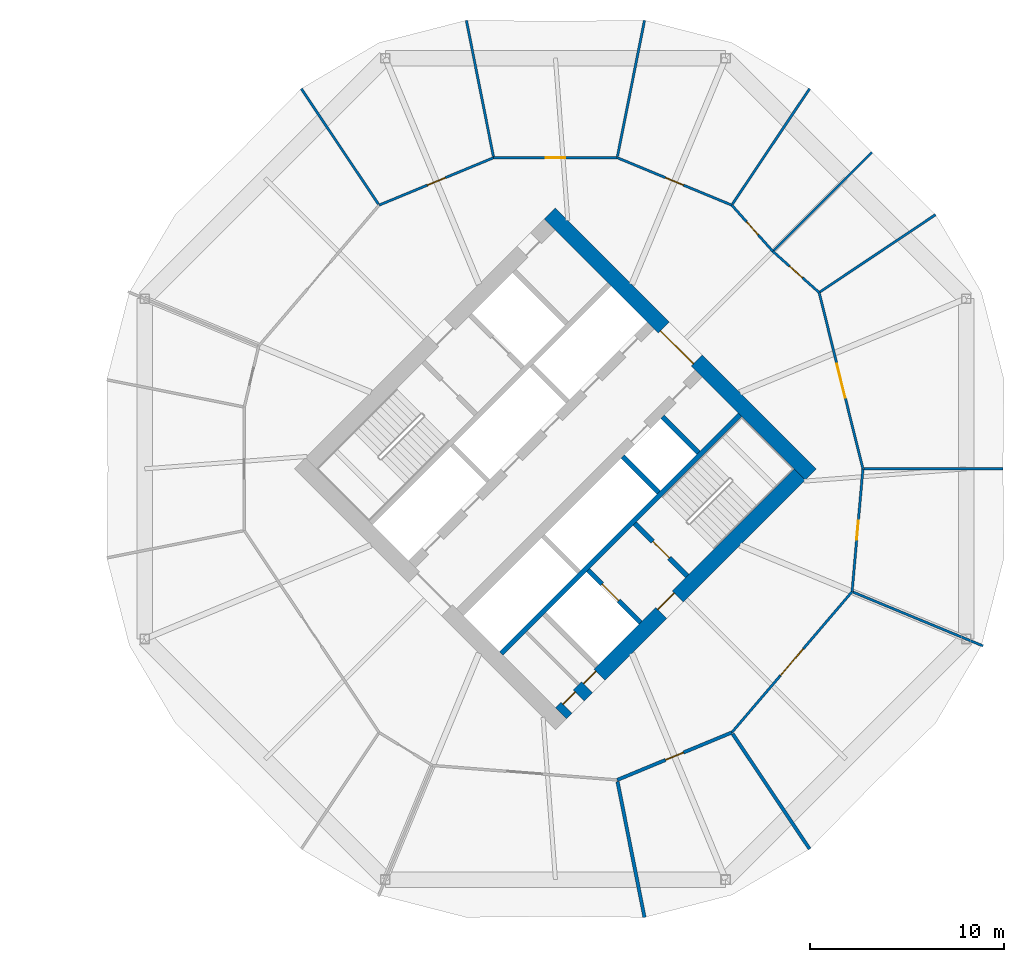
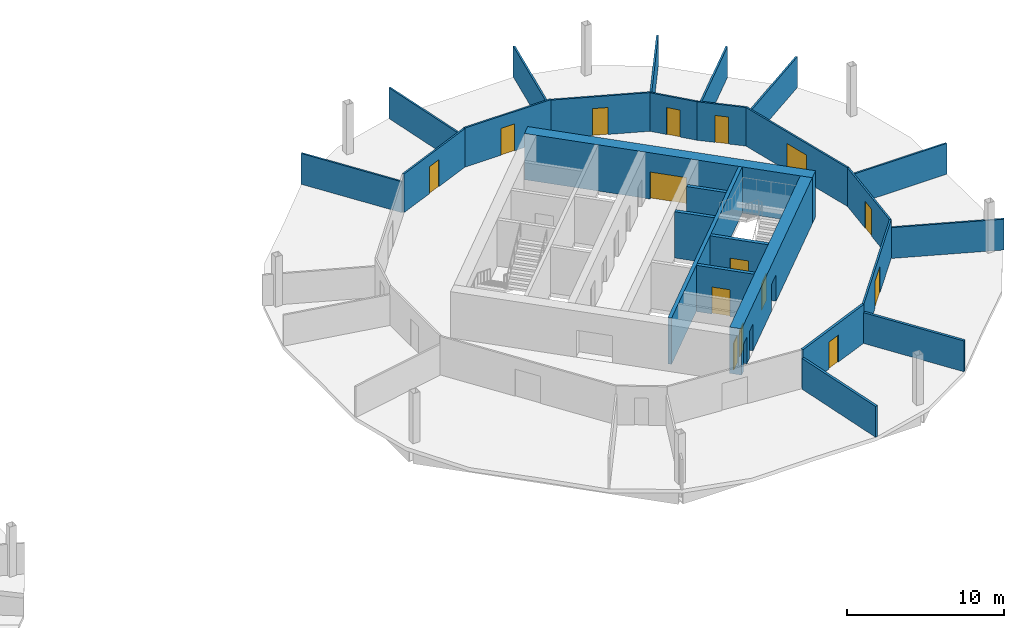
# One storey, part 8 of 10: 26 walls, 15 doors, 15 openings.
"""IFC4 building model written with IfcOpenShell, lengths in metres."""

from ifc_helpers import new_model, si_unit, direction, frame, frame_2d, origin, place, context, subcontext, project, spatial, rectangle, extrude, material, layer, layer_set, type_object, element, fill, save


model = new_model("IFC4")

# Units and contexts
model_context = context("Model", 3, precision=1e-05, world=origin(), true_north=direction((0.0, 1.0)))
body_context = subcontext(model_context, "Body", "Model", "MODEL_VIEW")
ifc_project = project(units=[si_unit("LENGTHUNIT", "METRE"), si_unit("AREAUNIT", "SQUARE_METRE"), si_unit("VOLUMEUNIT", "CUBIC_METRE"), si_unit("PLANEANGLEUNIT", "RADIAN"), si_unit("MASSUNIT", "GRAM", prefix="KILO")], contexts=[model_context])

# Site, building, storey
site_placement = place(None, origin())
site = spatial("IfcSite", under=ifc_project, at=site_placement, CompositionType="ELEMENT")
building_placement = place(site_placement, origin())
building = spatial("IfcBuilding", under=site, at=building_placement, Name="Ogive Gate Towers", CompositionType="ELEMENT")
storey_placement = place(building_placement, frame((0.0, 0.0, 59.699951171875)))
storey = spatial("IfcBuildingStorey", under=building, at=storey_placement, Name="L13", CompositionType="ELEMENT", Elevation=59.699951171875)

# Walls
ifc_material_1 = material(Name="Gypsum board acoustic partition")
ifc_layer_1 = layer(ifc_material_1, 0.175048828125)
ifc_layer_set_1 = layer_set([ifc_layer_1], Name="Acoustic partition 175")
wall_type_1 = type_object("IfcWallType", Name="Acoustic partition 175", PredefinedType="PARTITIONING", material=ifc_layer_set_1)
wall_1_placement = place(storey_placement, frame((40.5888671875, -23.1083984375, 0.0), z_axis=(0.0, 0.0, 1.0), x_axis=(-0.194786131937, 0.980845738536, 0.0)))
element("IfcWall", 1, at=wall_1_placement, inside=storey, type_object=wall_type_1, Name="Partition T2-L13-013", PredefinedType="PARTITIONING", context=body_context, shape_type="SweptSolid", body=[
    extrude(rectangle(XDim=7.1318359375, YDim=0.175048828125, at=frame_2d((3.56591796875, 0.0))), origin(), (0.0, 0.0, 1.0), 2.400146484375),
])
wall_2_placement = place(storey_placement, frame((49.095458984375, -19.584716796875, 0.0), z_axis=(0.0, 0.0, 1.0), x_axis=(-0.555860985904, 0.831275263887, 0.0)))
element("IfcWall", 2, at=wall_2_placement, inside=storey, type_object=wall_type_1, Name="Partition T2-L13-014", PredefinedType="PARTITIONING", context=body_context, shape_type="SweptSolid", body=[
    extrude(rectangle(XDim=7.131591796875, YDim=0.175048828125, at=frame_2d((3.56591796875, 0.0))), origin(), (0.0, 0.0, 1.0), 2.400146484375),
])

# Wall, opening, door
wall_3_placement = place(storey_placement, frame((39.1826171875, -16.027587890625, 0.0), z_axis=(0.0, 0.0, 1.0), x_axis=(0.923883575944, 0.382673670509, 0.0)))
wall_3 = element("IfcWall", 3, at=wall_3_placement, inside=storey, type_object=wall_type_1, Name="Partition T2-L13-021", PredefinedType="PARTITIONING", context=body_context, shape_type="SweptSolid", body=[
    extrude(rectangle(XDim=6.38623046875, YDim=0.175048828125, at=frame_2d((3.193115234375, 0.0))), origin(), (0.0, 0.0, 1.0), 3.010009765625),
])
opening_1_placement = place(wall_3_placement, frame((2.693115234375, 0.0, 0.0)))
opening_1 = element("IfcOpeningElement", 4, at=opening_1_placement, cuts=wall_3, Name="Opening T2-L13-D06", PredefinedType="OPENING", context=body_context, shape_type="SweptSolid", body=[
    extrude(rectangle(XDim=1.0, YDim=2.10009765625, at=frame_2d((0.5, 1.050048828125))), frame((0.0, 0.09765625, 0.0), z_axis=(0.0, -1.0, 0.0), x_axis=(1.0, 0.0, 0.0)), (0.0, 0.0, 1.0), 0.195068359375),
])
ifc_material_2 = material(Name="Timber door", Category="wood")
door_type_1 = type_object("IfcDoorType", Name="Door 1000", OperationType="NOTDEFINED", PredefinedType="DOOR", material=ifc_material_2)
door_1_placement = place(opening_1_placement, origin())
door_1 = element("IfcDoor", 5, at=door_1_placement, inside=storey, type_object=door_type_1, Name="Door T2-L13-D06", OperationType="SINGLE_SWING_RIGHT", OverallHeight=2.10009765625, OverallWidth=1.0, PredefinedType="DOOR", context=body_context, shape_type="SweptSolid", body=[
    extrude(rectangle(XDim=1.0, YDim=2.10009765625, at=frame_2d((0.5, 1.050048828125))), frame((0.0, 0.02490234375, 0.0), z_axis=(0.0, -1.0, 0.0), x_axis=(1.0, 0.0, 0.0)), (0.0, 0.0, 1.0), 0.050048828125),
])
fill(opening_1, door_1)

# Wall, openings, doors
ifc_material_3 = material(Name="Concrete C60/75", Category="concrete")
ifc_layer_2 = layer(ifc_material_3, 0.800048828125)
ifc_layer_set_2 = layer_set([ifc_layer_2], Name="Core wall 800 mm")
wall_type_2 = type_object("IfcWallType", Name="Core wall 800 mm", PredefinedType="SHEAR", material=ifc_layer_set_2)
wall_4_placement = place(storey_placement, frame((36.28271484375, -12.58642578125, 0.0), z_axis=(0.0, 0.0, 1.0), x_axis=(0.707106781187, 0.707106781187, 0.0)))
wall_4 = element("IfcWall", 6, at=wall_4_placement, inside=storey, type_object=wall_type_2, Name="T2 L13 Core wall 800 mm", PredefinedType="SHEAR", context=body_context, shape_type="SweptSolid", body=[
    extrude(rectangle(XDim=17.400146484375, YDim=0.800048828125, at=frame_2d((8.7001953125, 0.0))), origin(), (0.0, 0.0, 1.0), 3.60009765625),
])
opening_2_placement = place(wall_4_placement, frame((7.300048828125, 0.0, 0.0)))
opening_2 = element("IfcOpeningElement", 7, at=opening_2_placement, cuts=wall_4, Name="Opening KD-T2-L13-16", PredefinedType="OPENING", context=body_context, shape_type="SweptSolid", body=[
    extrude(rectangle(XDim=1.199951171875, YDim=2.10009765625, at=frame_2d((0.60009765625, 1.050048828125))), frame((0.0, 0.41015625, 0.0), z_axis=(0.0, -1.0, 0.0), x_axis=(1.0, 0.0, 0.0)), (0.0, 0.0, 1.0), 0.820068359375),
])
opening_3_placement = place(wall_4_placement, frame((0.39990234375, 0.0, 0.0)))
opening_3 = element("IfcOpeningElement", 8, at=opening_3_placement, cuts=wall_4, Name="Opening KD-T2-L13-18", PredefinedType="OPENING", context=body_context, shape_type="SweptSolid", body=[
    extrude(rectangle(XDim=0.89990234375, YDim=2.10009765625, at=frame_2d((0.449951171875, 1.050048828125))), frame((0.0, 0.41015625, 0.0), z_axis=(0.0, -1.0, 0.0), x_axis=(1.0, 0.0, 0.0)), (0.0, 0.0, 1.0), 0.820068359375),
])
opening_4_placement = place(wall_4_placement, frame((1.89990234375, 0.0, 0.0)))
opening_4 = element("IfcOpeningElement", 9, at=opening_4_placement, cuts=wall_4, Name="Opening KD-T2-L13-19", PredefinedType="OPENING", context=body_context, shape_type="SweptSolid", body=[
    extrude(rectangle(XDim=0.89990234375, YDim=2.10009765625, at=frame_2d((0.449951171875, 1.050048828125))), frame((0.0, 0.41015625, 0.0), z_axis=(0.0, -1.0, 0.0), x_axis=(1.0, 0.0, 0.0)), (0.0, 0.0, 1.0), 0.820068359375),
])
door_type_2 = type_object("IfcDoorType", Name="Core WC door 900 x 2100", OperationType="NOTDEFINED", PredefinedType="DOOR", material=ifc_material_2)
door_2_placement = place(opening_3_placement, origin())
door_2 = element("IfcDoor", 10, at=door_2_placement, inside=storey, type_object=door_type_2, Name="T2 L13 Core door", OperationType="SINGLE_SWING_LEFT", OverallHeight=2.10009765625, OverallWidth=0.89990234375, PredefinedType="DOOR", context=body_context, shape_type="SweptSolid", body=[
    extrude(rectangle(XDim=0.89990234375, YDim=2.10009765625, at=frame_2d((0.449951171875, 1.050048828125))), frame((0.0, 0.27490234375, 0.0), z_axis=(0.0, -1.0, 0.0), x_axis=(1.0, 0.0, 0.0)), (0.0, 0.0, 1.0), 0.050048828125),
])
fill(opening_3, door_2)
door_3_placement = place(opening_4_placement, origin())
door_3 = element("IfcDoor", 11, at=door_3_placement, inside=storey, type_object=door_type_2, Name="T2 L13 Core door", OperationType="SINGLE_SWING_RIGHT", OverallHeight=2.10009765625, OverallWidth=0.89990234375, PredefinedType="DOOR", context=body_context, shape_type="SweptSolid", body=[
    extrude(rectangle(XDim=0.89990234375, YDim=2.10009765625, at=frame_2d((0.449951171875, 1.050048828125))), frame((0.0, 0.27490234375, 0.0), z_axis=(0.0, -1.0, 0.0), x_axis=(1.0, 0.0, 0.0)), (0.0, 0.0, 1.0), 0.050048828125),
])
fill(opening_4, door_3)
ifc_material_4 = material(Name="Steel fire door", Category="steel")
door_type_3 = type_object("IfcDoorType", Name="Core door FD60S 1200 x 2100", OperationType="NOTDEFINED", PredefinedType="DOOR", material=ifc_material_4)
door_4_placement = place(opening_2_placement, origin())
door_4 = element("IfcDoor", 12, at=door_4_placement, inside=storey, type_object=door_type_3, Name="T2 L13 Fire-fighting lobby door", OperationType="SINGLE_SWING_LEFT", OverallHeight=2.10009765625, OverallWidth=1.199951171875, PredefinedType="DOOR", context=body_context, shape_type="SweptSolid", body=[
    extrude(rectangle(XDim=1.199951171875, YDim=2.10009765625, at=frame_2d((0.60009765625, 1.050048828125))), frame((0.0, 0.27490234375, 0.0), z_axis=(0.0, -1.0, 0.0), x_axis=(1.0, 0.0, 0.0)), (0.0, 0.0, 1.0), 0.050048828125),
])
fill(opening_2, door_4)

# Wall, opening, door
wall_5_placement = place(storey_placement, frame((49.152099609375, -0.28271484375, 0.0), z_axis=(0.0, 0.0, 1.0), x_axis=(-0.707106781187, 0.707106781187, 0.0)))
wall_5 = element("IfcWall", 13, at=wall_5_placement, inside=storey, type_object=wall_type_2, Name="T2 L13 Core wall 800 mm", PredefinedType="SHEAR", context=body_context, shape_type="SweptSolid", body=[
    extrude(rectangle(XDim=18.999755859375, YDim=0.800048828125, at=frame_2d((9.5, 0.0))), origin(), (0.0, 0.0, 1.0), 3.60009765625),
])
opening_5_placement = place(wall_5_placement, frame((8.300048828125, 0.0, 0.0)))
opening_5 = element("IfcOpeningElement", 14, at=opening_5_placement, cuts=wall_5, Name="Opening KD-T2-L13-02", PredefinedType="OPENING", context=body_context, shape_type="SweptSolid", body=[
    extrude(rectangle(XDim=2.39990234375, YDim=2.10009765625, at=frame_2d((1.199951171875, 1.050048828125))), frame((0.0, 0.41015625, 0.0), z_axis=(0.0, -1.0, 0.0), x_axis=(1.0, 0.0, 0.0)), (0.0, 0.0, 1.0), 0.820068359375),
])
door_type_4 = type_object("IfcDoorType", Name="Core double door FD60S 2400 x 2100", OperationType="DOUBLE_DOOR_SINGLE_SWING", PredefinedType="DOOR", material=ifc_material_4)
door_5_placement = place(opening_5_placement, origin())
door_5 = element("IfcDoor", 15, at=door_5_placement, inside=storey, type_object=door_type_4, Name="T2 L13 Core door double", OperationType="DOUBLE_DOOR_SINGLE_SWING", OverallHeight=2.10009765625, OverallWidth=2.39990234375, PredefinedType="DOOR", context=body_context, shape_type="SweptSolid", body=[
    extrude(rectangle(XDim=2.39990234375, YDim=2.10009765625, at=frame_2d((1.199951171875, 1.050048828125))), frame((0.0, 0.27490234375, 0.0), z_axis=(0.0, -1.0, 0.0), x_axis=(1.0, 0.0, 0.0)), (0.0, 0.0, 1.0), 0.050048828125),
])
fill(opening_5, door_5)

# Walls
ifc_material_5 = material(Name="Gypsum board partition")
ifc_layer_3 = layer(ifc_material_5, 0.125)
ifc_layer_set_3 = layer_set([ifc_layer_3], Name="Partition 125")
wall_type_3 = type_object("IfcWallType", Name="Partition 125", PredefinedType="PARTITIONING", material=ifc_layer_set_3)
for number, where, z_axis, x_axis, name in (
    (16, (59.05908203125, 0.0, 0.0), (0.0, 0.0, 1.0), (-1.0, 0.0, 0.0), "Partition T2-L13-001"),
    (17, (55.584716796875, 13.095458984375, 0.0), (0.0, 0.0, 1.0), (-0.831272713232, -0.55586480032, 0.0), "Partition T2-L13-002"),
):
    element("IfcWall", number, at=place(storey_placement, frame(where, z_axis=z_axis, x_axis=x_axis)), inside=storey, type_object=wall_type_3, Name=name, PredefinedType="PARTITIONING", context=body_context, shape_type="SweptSolid", body=[
        extrude(rectangle(XDim=7.156494140625, YDim=0.125, at=frame_2d((3.578125, 0.0))), origin(), (0.0, 0.0, 1.0), 2.400146484375),
    ])
wall_6_placement = place(storey_placement, frame((52.30517578125, 16.30517578125, 0.0), z_axis=(0.0, 0.0, 1.0), x_axis=(-0.707106781187, -0.707106781187, 0.0)))
element("IfcWall", 18, at=wall_6_placement, inside=storey, type_object=wall_type_3, Name="Partition T2-L13-003", PredefinedType="PARTITIONING", context=body_context, shape_type="SweptSolid", body=[
    extrude(rectangle(XDim=7.15625, YDim=0.125, at=frame_2d((3.578125, 0.0))), origin(), (0.0, 0.0, 1.0), 2.400146484375),
])
wall_7_placement = place(storey_placement, frame((49.095458984375, 19.584716796875, 0.0), z_axis=(0.0, 0.0, 1.0), x_axis=(-0.55586480032, -0.831272713232, 0.0)))
element("IfcWall", 19, at=wall_7_placement, inside=storey, type_object=wall_type_3, Name="Partition T2-L13-004", PredefinedType="PARTITIONING", context=body_context, shape_type="SweptSolid", body=[
    extrude(rectangle(XDim=7.156494140625, YDim=0.125, at=frame_2d((3.578125, 0.0))), origin(), (0.0, 0.0, 1.0), 2.400146484375),
])
for number, where, z_axis, x_axis, name in (
    (20, (40.5888671875, 23.1083984375, 0.0), (0.0, 0.0, 1.0), (-0.194790759581, -0.980844819521, 0.0), "Partition T2-L13-005"),
    (21, (31.4111328125, 23.1083984375, 0.0), (0.0, 0.0, 1.0), (0.194790759581, -0.980844819521, 0.0), "Partition T2-L13-006"),
):
    element("IfcWall", number, at=place(storey_placement, frame(where, z_axis=z_axis, x_axis=x_axis)), inside=storey, type_object=wall_type_3, Name=name, PredefinedType="PARTITIONING", context=body_context, shape_type="SweptSolid", body=[
        extrude(rectangle(XDim=7.15673828125, YDim=0.125, at=frame_2d((3.578369140625, 0.0))), origin(), (0.0, 0.0, 1.0), 2.400146484375),
    ])
wall_8_placement = place(storey_placement, frame((22.904541015625, 19.584716796875, 0.0), z_axis=(0.0, 0.0, 1.0), x_axis=(0.55586480032, -0.831272713232, 0.0)))
element("IfcWall", 22, at=wall_8_placement, inside=storey, type_object=wall_type_3, Name="Partition T2-L13-007", PredefinedType="PARTITIONING", context=body_context, shape_type="SweptSolid", body=[
    extrude(rectangle(XDim=7.156494140625, YDim=0.125, at=frame_2d((3.578125, 0.0))), origin(), (0.0, 0.0, 1.0), 2.400146484375),
])
wall_9_placement = place(storey_placement, frame((58.02783203125, -9.124267578125, 0.0), z_axis=(0.0, 0.0, 1.0), x_axis=(-0.923884069803, 0.382672478191, 0.0)))
element("IfcWall", 23, at=wall_9_placement, inside=storey, type_object=wall_type_3, Name="Partition T2-L13-015", PredefinedType="PARTITIONING", context=body_context, shape_type="SweptSolid", body=[
    extrude(rectangle(XDim=7.2392578125, YDim=0.125, at=frame_2d((3.61962890625, 0.0))), origin(), (0.0, 0.0, 1.0), 2.400146484375),
])

# Wall, opening, door
wall_10_placement = place(storey_placement, frame((45.082763671875, -13.583740234375, 0.0), z_axis=(0.0, 0.0, 1.0), x_axis=(0.649690774844, 0.760198590556, 0.0)))
wall_10 = element("IfcWall", 24, at=wall_10_placement, inside=storey, type_object=wall_type_3, Name="Partition T2-L13-022", PredefinedType="PARTITIONING", context=body_context, shape_type="SweptSolid", body=[
    extrude(rectangle(XDim=9.541748046875, YDim=0.125, at=frame_2d((4.77099609375, 0.0))), origin(), (0.0, 0.0, 1.0), 3.0),
])
opening_6_placement = place(wall_10_placement, frame((3.87109375, 0.0, 0.0)))
opening_6 = element("IfcOpeningElement", 25, at=opening_6_placement, cuts=wall_10, Name="Opening T2-L13-D07", PredefinedType="OPENING", context=body_context, shape_type="SweptSolid", body=[
    extrude(rectangle(XDim=1.800048828125, YDim=2.10009765625, at=frame_2d((0.89990234375, 1.050048828125))), frame((0.0, 0.072509765625, 0.0), z_axis=(0.0, -1.0, 0.0), x_axis=(1.0, 0.0, 0.0)), (0.0, 0.0, 1.0), 0.14501953125),
])
door_type_5 = type_object("IfcDoorType", Name="Door pair 1800", OperationType="NOTDEFINED", PredefinedType="DOOR", material=ifc_material_2)
door_6_placement = place(opening_6_placement, origin())
door_6 = element("IfcDoor", 26, at=door_6_placement, inside=storey, type_object=door_type_5, Name="Door T2-L13-D07", OperationType="DOUBLE_DOOR_DOUBLE_SWING", OverallHeight=2.10009765625, OverallWidth=1.800048828125, PredefinedType="DOOR", context=body_context, shape_type="SweptSolid", body=[
    extrude(rectangle(XDim=1.800048828125, YDim=2.10009765625, at=frame_2d((0.89990234375, 1.050048828125))), frame((0.0, 0.02490234375, 0.0), z_axis=(0.0, -1.0, 0.0), x_axis=(1.0, 0.0, 0.0)), (0.0, 0.0, 1.0), 0.050048828125),
])
fill(opening_6, door_6)

wall_11_placement = place(storey_placement, frame((51.281982421875, -6.330078125, 0.0), z_axis=(0.0, 0.0, 1.0), x_axis=(0.087826535087, 0.996135783784, 0.0)))
wall_11 = element("IfcWall", 27, at=wall_11_placement, inside=storey, type_object=wall_type_3, Name="Partition T2-L13-023", PredefinedType="PARTITIONING", context=body_context, shape_type="SweptSolid", body=[
    extrude(rectangle(XDim=6.354736328125, YDim=0.125, at=frame_2d((3.17724609375, 0.0))), origin(), (0.0, 0.0, 1.0), 3.010009765625),
])
opening_7_placement = place(wall_11_placement, frame((2.677001953125, 0.0, 0.0)))
opening_7 = element("IfcOpeningElement", 28, at=opening_7_placement, cuts=wall_11, Name="Opening T2-L13-D08", PredefinedType="OPENING", context=body_context, shape_type="SweptSolid", body=[
    extrude(rectangle(XDim=1.0, YDim=2.10009765625, at=frame_2d((0.5, 1.050048828125))), frame((0.0, 0.072509765625, 0.0), z_axis=(0.0, -1.0, 0.0), x_axis=(1.0, 0.0, 0.0)), (0.0, 0.0, 1.0), 0.14501953125),
])
door_7_placement = place(opening_7_placement, origin())
door_7 = element("IfcDoor", 29, at=door_7_placement, inside=storey, type_object=door_type_1, Name="Door T2-L13-D08", OperationType="SINGLE_SWING_RIGHT", OverallHeight=2.10009765625, OverallWidth=1.0, PredefinedType="DOOR", context=body_context, shape_type="SweptSolid", body=[
    extrude(rectangle(XDim=1.0, YDim=2.10009765625, at=frame_2d((0.5, 1.050048828125))), frame((0.0, 0.02490234375, 0.0), z_axis=(0.0, -1.0, 0.0), x_axis=(1.0, 0.0, 0.0)), (0.0, 0.0, 1.0), 0.050048828125),
])
fill(opening_7, door_7)

wall_12_placement = place(storey_placement, frame((51.840087890625, 0.0, 0.0), z_axis=(0.0, 0.0, 1.0), x_axis=(-0.241092918068, 0.970502037534, 0.0)))
wall_12 = element("IfcWall", 30, at=wall_12_placement, inside=storey, type_object=wall_type_3, Name="Partition T2-L13-024", PredefinedType="PARTITIONING", context=body_context, shape_type="SweptSolid", body=[
    extrude(rectangle(XDim=9.35888671875, YDim=0.125, at=frame_2d((4.679443359375, 0.0))), origin(), (0.0, 0.0, 1.0), 3.010009765625),
])
opening_8_placement = place(wall_12_placement, frame((3.779052734375, 0.0, 0.0)))
opening_8 = element("IfcOpeningElement", 31, at=opening_8_placement, cuts=wall_12, Name="Opening T2-L13-D09", PredefinedType="OPENING", context=body_context, shape_type="SweptSolid", body=[
    extrude(rectangle(XDim=1.800048828125, YDim=2.10009765625, at=frame_2d((0.89990234375, 1.050048828125))), frame((0.0, 0.072509765625, 0.0), z_axis=(0.0, -1.0, 0.0), x_axis=(1.0, 0.0, 0.0)), (0.0, 0.0, 1.0), 0.14501953125),
])
door_8_placement = place(opening_8_placement, origin())
door_8 = element("IfcDoor", 32, at=door_8_placement, inside=storey, type_object=door_type_5, Name="Door T2-L13-D09", OperationType="DOUBLE_DOOR_DOUBLE_SWING", OverallHeight=2.10009765625, OverallWidth=1.800048828125, PredefinedType="DOOR", context=body_context, shape_type="SweptSolid", body=[
    extrude(rectangle(XDim=1.800048828125, YDim=2.10009765625, at=frame_2d((0.89990234375, 1.050048828125))), frame((0.0, 0.02490234375, 0.0), z_axis=(0.0, -1.0, 0.0), x_axis=(1.0, 0.0, 0.0)), (0.0, 0.0, 1.0), 0.050048828125),
])
fill(opening_8, door_8)

wall_13_placement = place(storey_placement, frame((49.583740234375, 9.082763671875, 0.0), z_axis=(0.0, 0.0, 1.0), x_axis=(-0.747464240039, 0.664302047161, 0.0)))
wall_13 = element("IfcWall", 33, at=wall_13_placement, inside=storey, type_object=wall_type_3, Name="Partition T2-L13-025", PredefinedType="PARTITIONING", context=body_context, shape_type="SweptSolid", body=[
    extrude(rectangle(XDim=3.188232421875, YDim=0.125, at=frame_2d((1.59423828125, 0.0))), origin(), (0.0, 0.0, 1.0), 3.0),
])
opening_9_placement = place(wall_13_placement, frame((1.14404296875, 0.0, 0.0)))
opening_9 = element("IfcOpeningElement", 34, at=opening_9_placement, cuts=wall_13, Name="Opening T2-L13-D10", PredefinedType="OPENING", context=body_context, shape_type="SweptSolid", body=[
    extrude(rectangle(XDim=0.89990234375, YDim=2.10009765625, at=frame_2d((0.449951171875, 1.050048828125))), frame((0.0, 0.072509765625, 0.0), z_axis=(0.0, -1.0, 0.0), x_axis=(1.0, 0.0, 0.0)), (0.0, 0.0, 1.0), 0.14501953125),
])
door_type_6 = type_object("IfcDoorType", Name="Door 900", OperationType="NOTDEFINED", PredefinedType="DOOR", material=ifc_material_2)
door_9_placement = place(opening_9_placement, origin())
door_9 = element("IfcDoor", 35, at=door_9_placement, inside=storey, type_object=door_type_6, Name="Door T2-L13-D10", OperationType="SINGLE_SWING_LEFT", OverallHeight=2.10009765625, OverallWidth=0.89990234375, PredefinedType="DOOR", context=body_context, shape_type="SweptSolid", body=[
    extrude(rectangle(XDim=0.89990234375, YDim=2.10009765625, at=frame_2d((0.449951171875, 1.050048828125))), frame((0.0, 0.02490234375, 0.0), z_axis=(0.0, -1.0, 0.0), x_axis=(1.0, 0.0, 0.0)), (0.0, 0.0, 1.0), 0.050048828125),
])
fill(opening_9, door_9)

wall_14_placement = place(storey_placement, frame((47.20068359375, 11.20068359375, 0.0), z_axis=(0.0, 0.0, 1.0), x_axis=(-0.664302047161, 0.747464240039, 0.0)))
wall_14 = element("IfcWall", 36, at=wall_14_placement, inside=storey, type_object=wall_type_3, Name="Partition T2-L13-026", PredefinedType="PARTITIONING", context=body_context, shape_type="SweptSolid", body=[
    extrude(rectangle(XDim=3.188232421875, YDim=0.125, at=frame_2d((1.59423828125, 0.0))), origin(), (0.0, 0.0, 1.0), 3.0),
])
opening_10_placement = place(wall_14_placement, frame((1.14404296875, 0.0, 0.0)))
opening_10 = element("IfcOpeningElement", 37, at=opening_10_placement, cuts=wall_14, Name="Opening T2-L13-D11", PredefinedType="OPENING", context=body_context, shape_type="SweptSolid", body=[
    extrude(rectangle(XDim=0.89990234375, YDim=2.10009765625, at=frame_2d((0.449951171875, 1.050048828125))), frame((0.0, 0.072509765625, 0.0), z_axis=(0.0, -1.0, 0.0), x_axis=(1.0, 0.0, 0.0)), (0.0, 0.0, 1.0), 0.14501953125),
])
door_10_placement = place(opening_10_placement, origin())
door_10 = element("IfcDoor", 38, at=door_10_placement, inside=storey, type_object=door_type_6, Name="Door T2-L13-D11", OperationType="SINGLE_SWING_RIGHT", OverallHeight=2.10009765625, OverallWidth=0.89990234375, PredefinedType="DOOR", context=body_context, shape_type="SweptSolid", body=[
    extrude(rectangle(XDim=0.89990234375, YDim=2.10009765625, at=frame_2d((0.449951171875, 1.050048828125))), frame((0.0, 0.02490234375, 0.0), z_axis=(0.0, -1.0, 0.0), x_axis=(1.0, 0.0, 0.0)), (0.0, 0.0, 1.0), 0.050048828125),
])
fill(opening_10, door_10)

wall_15_placement = place(storey_placement, frame((45.082763671875, 13.583740234375, 0.0), z_axis=(0.0, 0.0, 1.0), x_axis=(-0.923883575944, 0.382673670509, 0.0)))
wall_15 = element("IfcWall", 39, at=wall_15_placement, inside=storey, type_object=wall_type_3, Name="Partition T2-L13-027", PredefinedType="PARTITIONING", context=body_context, shape_type="SweptSolid", body=[
    extrude(rectangle(XDim=6.38623046875, YDim=0.125, at=frame_2d((3.193115234375, 0.0))), origin(), (0.0, 0.0, 1.0), 3.010009765625),
])
opening_11_placement = place(wall_15_placement, frame((2.693115234375, 0.0, 0.0)))
opening_11 = element("IfcOpeningElement", 40, at=opening_11_placement, cuts=wall_15, Name="Opening T2-L13-D12", PredefinedType="OPENING", context=body_context, shape_type="SweptSolid", body=[
    extrude(rectangle(XDim=1.0, YDim=2.10009765625, at=frame_2d((0.5, 1.050048828125))), frame((0.0, 0.072509765625, 0.0), z_axis=(0.0, -1.0, 0.0), x_axis=(1.0, 0.0, 0.0)), (0.0, 0.0, 1.0), 0.14501953125),
])
door_11_placement = place(opening_11_placement, origin())
door_11 = element("IfcDoor", 41, at=door_11_placement, inside=storey, type_object=door_type_1, Name="Door T2-L13-D12", OperationType="SINGLE_SWING_RIGHT", OverallHeight=2.10009765625, OverallWidth=1.0, PredefinedType="DOOR", context=body_context, shape_type="SweptSolid", body=[
    extrude(rectangle(XDim=1.0, YDim=2.10009765625, at=frame_2d((0.5, 1.050048828125))), frame((0.0, 0.02490234375, 0.0), z_axis=(0.0, -1.0, 0.0), x_axis=(1.0, 0.0, 0.0)), (0.0, 0.0, 1.0), 0.050048828125),
])
fill(opening_11, door_11)

wall_16_placement = place(storey_placement, frame((39.1826171875, 16.027587890625, 0.0), z_axis=(0.0, 0.0, 1.0), x_axis=(-1.0, 0.0, 0.0)))
wall_16 = element("IfcWall", 42, at=wall_16_placement, inside=storey, type_object=wall_type_3, Name="Partition T2-L13-028", PredefinedType="PARTITIONING", context=body_context, shape_type="SweptSolid", body=[
    extrude(rectangle(XDim=6.365234375, YDim=0.125, at=frame_2d((3.1826171875, 0.0))), origin(), (0.0, 0.0, 1.0), 3.050048828125),
])
opening_12_placement = place(wall_16_placement, frame((2.68310546875, 0.0, 0.0)))
opening_12 = element("IfcOpeningElement", 43, at=opening_12_placement, cuts=wall_16, Name="Opening T2-L13-D13", PredefinedType="OPENING", context=body_context, shape_type="SweptSolid", body=[
    extrude(rectangle(XDim=1.0, YDim=2.10009765625, at=frame_2d((0.5, 1.050048828125))), frame((0.0, 0.072509765625, 0.0), z_axis=(0.0, -1.0, 0.0), x_axis=(1.0, 0.0, 0.0)), (0.0, 0.0, 1.0), 0.14501953125),
])
door_12_placement = place(opening_12_placement, origin())
door_12 = element("IfcDoor", 44, at=door_12_placement, inside=storey, type_object=door_type_1, Name="Door T2-L13-D13", OperationType="SINGLE_SWING_RIGHT", OverallHeight=2.10009765625, OverallWidth=1.0, PredefinedType="DOOR", context=body_context, shape_type="SweptSolid", body=[
    extrude(rectangle(XDim=1.0, YDim=2.10009765625, at=frame_2d((0.5, 1.050048828125))), frame((0.0, 0.02490234375, 0.0), z_axis=(0.0, -1.0, 0.0), x_axis=(1.0, 0.0, 0.0)), (0.0, 0.0, 1.0), 0.050048828125),
])
fill(opening_12, door_12)

wall_17_placement = place(storey_placement, frame((32.8173828125, 16.027587890625, 0.0), z_axis=(0.0, 0.0, 1.0), x_axis=(-0.923883575944, -0.382673670509, 0.0)))
wall_17 = element("IfcWall", 45, at=wall_17_placement, inside=storey, type_object=wall_type_3, Name="Partition T2-L13-029", PredefinedType="PARTITIONING", context=body_context, shape_type="SweptSolid", body=[
    extrude(rectangle(XDim=6.38623046875, YDim=0.125, at=frame_2d((3.193115234375, 0.0))), origin(), (0.0, 0.0, 1.0), 3.010009765625),
])
opening_13_placement = place(wall_17_placement, frame((2.693115234375, 0.0, 0.0)))
opening_13 = element("IfcOpeningElement", 46, at=opening_13_placement, cuts=wall_17, Name="Opening T2-L13-D14", PredefinedType="OPENING", context=body_context, shape_type="SweptSolid", body=[
    extrude(rectangle(XDim=1.0, YDim=2.10009765625, at=frame_2d((0.5, 1.050048828125))), frame((0.0, 0.072509765625, 0.0), z_axis=(0.0, -1.0, 0.0), x_axis=(1.0, 0.0, 0.0)), (0.0, 0.0, 1.0), 0.14501953125),
])
door_13_placement = place(opening_13_placement, origin())
door_13 = element("IfcDoor", 47, at=door_13_placement, inside=storey, type_object=door_type_1, Name="Door T2-L13-D14", OperationType="SINGLE_SWING_RIGHT", OverallHeight=2.10009765625, OverallWidth=1.0, PredefinedType="DOOR", context=body_context, shape_type="SweptSolid", body=[
    extrude(rectangle(XDim=1.0, YDim=2.10009765625, at=frame_2d((0.5, 1.050048828125))), frame((0.0, 0.02490234375, 0.0), z_axis=(0.0, -1.0, 0.0), x_axis=(1.0, 0.0, 0.0)), (0.0, 0.0, 1.0), 0.050048828125),
])
fill(opening_13, door_13)

# Wall
ifc_layer_4 = layer(ifc_material_3, 0.25)
ifc_layer_set_4 = layer_set([ifc_layer_4], Name="Shaft wall 250 mm")
wall_type_4 = type_object("IfcWallType", Name="Shaft wall 250 mm", PredefinedType="SHEAR", material=ifc_layer_set_4)
wall_18_placement = place(storey_placement, frame((33.206787109375, -9.510498046875, 0.0), z_axis=(0.0, 0.0, 1.0), x_axis=(0.707106781187, 0.707106781187, 0.0)))
element("IfcWall", 48, at=wall_18_placement, inside=storey, type_object=wall_type_4, Name="T2 L13 Shaft wall 250 mm", PredefinedType="SHEAR", context=body_context, shape_type="SweptSolid", body=[
    extrude(rectangle(XDim=17.400146484375, YDim=0.25, at=frame_2d((8.7001953125, 0.0))), origin(), (0.0, 0.0, 1.0), 3.60009765625),
])

# Wall, opening, door
wall_19_placement = place(storey_placement, frame((40.384033203125, -7.919677734375, 0.0), z_axis=(0.0, 0.0, 1.0), x_axis=(-0.707074866995, 0.707138693938, 0.0)))
wall_19 = element("IfcWall", 49, at=wall_19_placement, inside=storey, type_object=wall_type_4, Name="T2 L13 Shaft wall 250 mm", PredefinedType="SHEAR", context=body_context, shape_type="SweptSolid", body=[
    extrude(rectangle(XDim=3.824951171875, YDim=0.25, at=frame_2d((1.91259765625, 0.0))), origin(), (0.0, 0.0, 1.0), 3.60009765625),
])
opening_14_placement = place(wall_19_placement, frame((1.60009765625, 0.0, 0.0)))
opening_14 = element("IfcOpeningElement", 50, at=opening_14_placement, cuts=wall_19, Name="Opening LD-T2-L13-11", PredefinedType="OPENING", context=body_context, shape_type="SweptSolid", body=[
    extrude(rectangle(XDim=1.199951171875, YDim=2.10009765625, at=frame_2d((0.60009765625, 1.050048828125))), frame((0.0, 0.135009765625, 0.0), z_axis=(0.0, -1.0, 0.0), x_axis=(1.0, 0.0, 0.0)), (0.0, 0.0, 1.0), 0.27001953125),
])
ifc_material_6 = material(Name="Stainless steel landing door", Category="steel")
door_type_7 = type_object("IfcDoorType", Name="Landing door 1200 x 2100", OperationType="SLIDING_TO_LEFT", PredefinedType="DOOR", material=ifc_material_6)
door_14_placement = place(opening_14_placement, origin())
door_14 = element("IfcDoor", 51, at=door_14_placement, inside=storey, type_object=door_type_7, Name="T2 L13 Lift landing door FF2", OperationType="SLIDING_TO_LEFT", OverallHeight=2.10009765625, OverallWidth=1.199951171875, PredefinedType="DOOR", context=body_context, shape_type="SweptSolid", body=[
    extrude(rectangle(XDim=1.199951171875, YDim=2.10009765625, at=frame_2d((0.60009765625, 1.050048828125))), frame((0.0, 0.02490234375, 0.0), z_axis=(0.0, -1.0, 0.0), x_axis=(1.0, 0.0, 0.0)), (0.0, 0.0, 1.0), 0.050048828125),
])
fill(opening_14, door_14)

wall_20_placement = place(storey_placement, frame((42.7880859375, -5.515380859375, 0.0), z_axis=(0.0, 0.0, 1.0), x_axis=(-0.707106781187, 0.707106781187, 0.0)))
wall_20 = element("IfcWall", 52, at=wall_20_placement, inside=storey, type_object=wall_type_4, Name="T2 L13 Shaft wall 250 mm", PredefinedType="SHEAR", context=body_context, shape_type="SweptSolid", body=[
    extrude(rectangle(XDim=3.824951171875, YDim=0.25, at=frame_2d((1.91259765625, 0.0))), origin(), (0.0, 0.0, 1.0), 3.60009765625),
])
opening_15_placement = place(wall_20_placement, frame((1.300048828125, 0.0, 0.0)))
opening_15 = element("IfcOpeningElement", 53, at=opening_15_placement, cuts=wall_20, Name="Opening KD-T2-L13-14", PredefinedType="OPENING", context=body_context, shape_type="SweptSolid", body=[
    extrude(rectangle(XDim=1.199951171875, YDim=2.10009765625, at=frame_2d((0.60009765625, 1.050048828125))), frame((0.0, 0.135009765625, 0.0), z_axis=(0.0, -1.0, 0.0), x_axis=(1.0, 0.0, 0.0)), (0.0, 0.0, 1.0), 0.27001953125),
])
door_15_placement = place(opening_15_placement, origin())
door_15 = element("IfcDoor", 54, at=door_15_placement, inside=storey, type_object=door_type_3, Name="T2 L13 Stair door", OperationType="SINGLE_SWING_LEFT", OverallHeight=2.10009765625, OverallWidth=1.199951171875, PredefinedType="DOOR", context=body_context, shape_type="SweptSolid", body=[
    extrude(rectangle(XDim=1.199951171875, YDim=2.10009765625, at=frame_2d((0.60009765625, 1.050048828125))), frame((0.0, 0.02490234375, 0.0), z_axis=(0.0, -1.0, 0.0), x_axis=(1.0, 0.0, 0.0)), (0.0, 0.0, 1.0), 0.050048828125),
])
fill(opening_15, door_15)

# Walls
for number, where, z_axis, x_axis, name in (
    (55, (41.321044921875, -1.2197265625, 0.0), (0.0, 0.0, 1.0), (-0.707106781187, 0.707106781187, 0.0), "T2 L13 Shaft wall 250 mm"),
    (56, (43.37158203125, 0.830810546875, 0.0), (0.0, 0.0, 1.0), (-0.707106781187, 0.707106781187, 0.0), "T2 L13 Shaft wall 250 mm"),
):
    element("IfcWall", number, at=place(storey_placement, frame(where, z_axis=z_axis, x_axis=x_axis)), inside=storey, type_object=wall_type_4, Name=name, PredefinedType="SHEAR", context=body_context, shape_type="SweptSolid", body=[
        extrude(rectangle(XDim=2.625, YDim=0.25, at=frame_2d((1.3125, 0.0))), origin(), (0.0, 0.0, 1.0), 3.60009765625),
    ])

save(model, "model.ifc")
